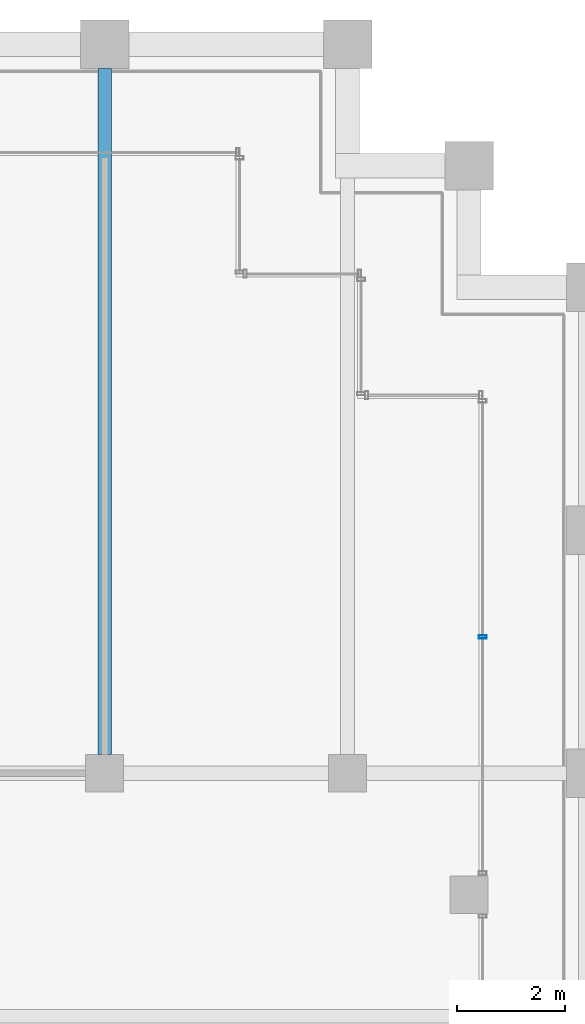
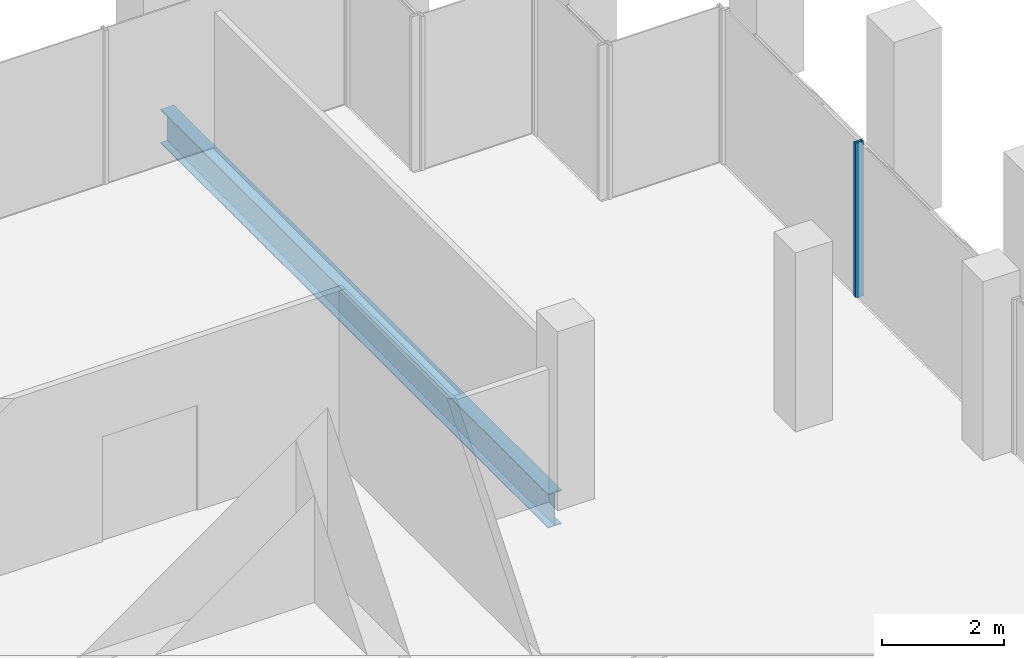
# One storey, part 24 of 40: 1 beam, 1 member, 1 element without a shape of its own.
"""IFC4 building model written with IfcOpenShell, lengths in metres."""

from ifc_helpers import new_model, si_unit, direction, frame, origin, origin_2d, place, context, subcontext, project, spatial, hollow_rectangle, i_section, extrude, material, material_profile, profile_set, type_object, element, aggregate, save


model = new_model("IFC4")

# Units and contexts
model_context = context("Model", 3, precision=1e-05, world=origin(), true_north=direction((0.0, 1.0)))
body_context = subcontext(model_context, "Body", "Model", "MODEL_VIEW")
ifc_project = project(units=[si_unit("LENGTHUNIT", "METRE"), si_unit("AREAUNIT", "SQUARE_METRE"), si_unit("VOLUMEUNIT", "CUBIC_METRE"), si_unit("PLANEANGLEUNIT", "RADIAN"), si_unit("MASSUNIT", "GRAM", prefix="KILO")], contexts=[model_context])

# Site, building, storey
site_placement = place(None, origin())
site = spatial("IfcSite", under=ifc_project, at=site_placement, CompositionType="ELEMENT")
building_placement = place(site_placement, origin())
building = spatial("IfcBuilding", under=site, at=building_placement, Name="Altepetl Exchange Towers", CompositionType="ELEMENT")
storey_placement = place(building_placement, frame((0.0, 0.0, 158.199951171875)))
storey = spatial("IfcBuildingStorey", under=building, at=storey_placement, Name="L39", CompositionType="ELEMENT", Elevation=158.199951171875)

# Beam
ifc_material_1 = material(Name="Steel S355", Category="steel")
ifc_material_profile_1 = material_profile(ifc_material_1, i_section(OverallWidth=0.25390625, OverallDepth=0.68408203125, WebThickness=0.012451171875, FlangeThickness=0.018798828125, at=origin_2d()), Name="W27X94")
ifc_profile_set_1 = profile_set([ifc_material_profile_1], Name="Steel S355")
beam_type = type_object("IfcBeamType", Name="Floor beam W27X94", PredefinedType="BEAM", material=ifc_profile_set_1)
beam_placement = place(storey_placement, frame((63.0, 58.85009765625, -0.491943359375), z_axis=(0.0, 1.0, 0.0), x_axis=(-1.0, 0.0, 0.0)))
element("IfcBeam", 1, at=beam_placement, inside=storey, type_object=beam_type, Name="bm:A:L39:004", PredefinedType="BEAM", context=body_context, shape_type="SweptSolid", body=[
    extrude(i_section(OverallWidth=0.25390625, OverallDepth=0.68408203125, WebThickness=0.012451171875, FlangeThickness=0.018798828125, at=origin_2d()), origin(), (0.0, 0.0, 1.0), 12.699951171875),
])

# Curtain wall, member
ifc_material_2 = material(Name="Aluminium 6063-T6 glazing", Category="aluminium")
curtain_wall_type = type_object("IfcCurtainWallType", Name="Loggia glazing system", PredefinedType="NOTDEFINED", material=ifc_material_2)
curtain_wall_placement = place(storey_placement, origin())
curtain_wall = element("IfcCurtainWall", 2, at=curtain_wall_placement, inside=storey, type_object=curtain_wall_type, Name="CW1 run", PredefinedType="NOTDEFINED")
ifc_material_3 = material(Name="Aluminium 6063-T6", Category="aluminium")
ifc_material_profile_2 = material_profile(ifc_material_3, hollow_rectangle(XDim=0.06005859375, YDim=0.14990234375, WallThickness=0.0029296875, at=origin_2d()), Name="Mullion 60x150 aluminium")
ifc_profile_set_2 = profile_set([ifc_material_profile_2], Name="Aluminium 6063-T6")
member_type = type_object("IfcMemberType", Name="Mullion 60x150 aluminium", PredefinedType="MULLION", material=ifc_profile_set_2)
member_placement = place(storey_placement, frame((70.0, 61.0224609375, 0.0), z_axis=(0.0, 0.0, 1.0), x_axis=(0.0, 1.0, 0.0)))
member = element("IfcMember", 3, at=member_placement, type_object=member_type, Name="MU1 mullion", PredefinedType="MULLION", context=body_context, shape_type="SweptSolid", body=[
    extrude(hollow_rectangle(XDim=0.06005859375, YDim=0.14990234375, WallThickness=0.0029296875, at=origin_2d()), origin(), (0.0, 0.0, 1.0), 3.10009765625),
])
aggregate(curtain_wall, [member])

save(model, "model.ifc")
